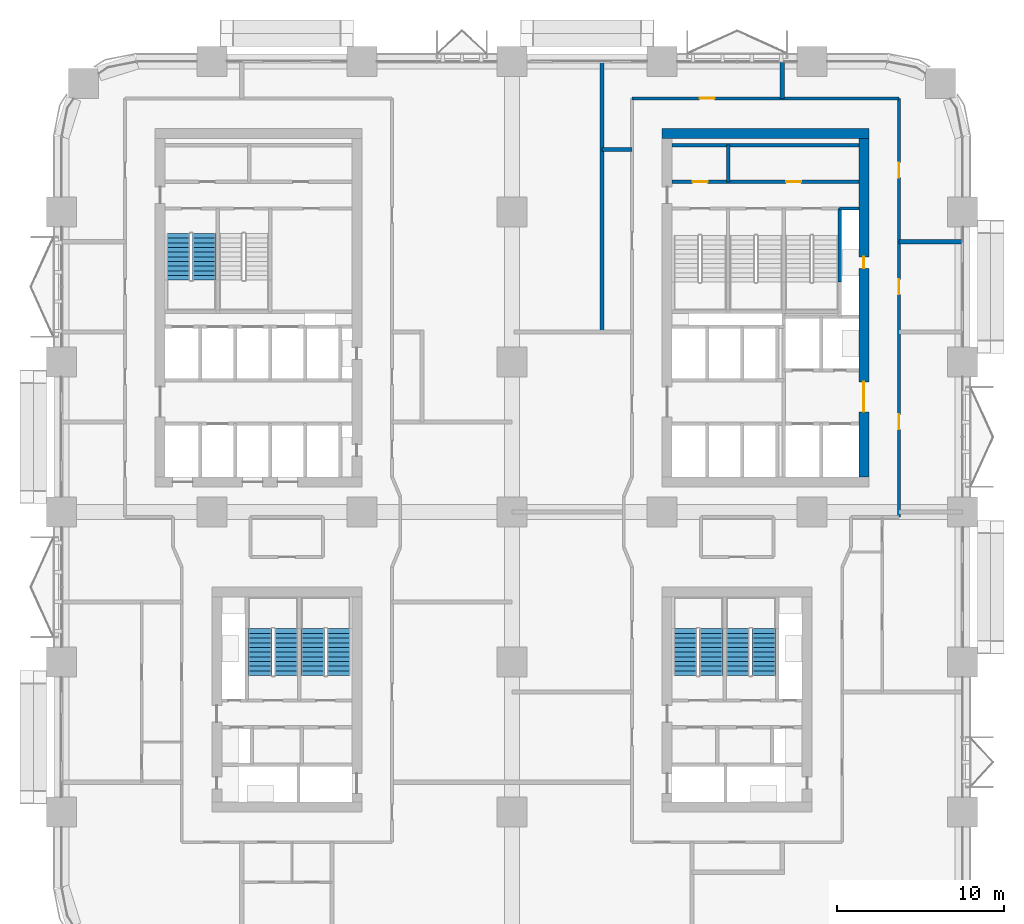
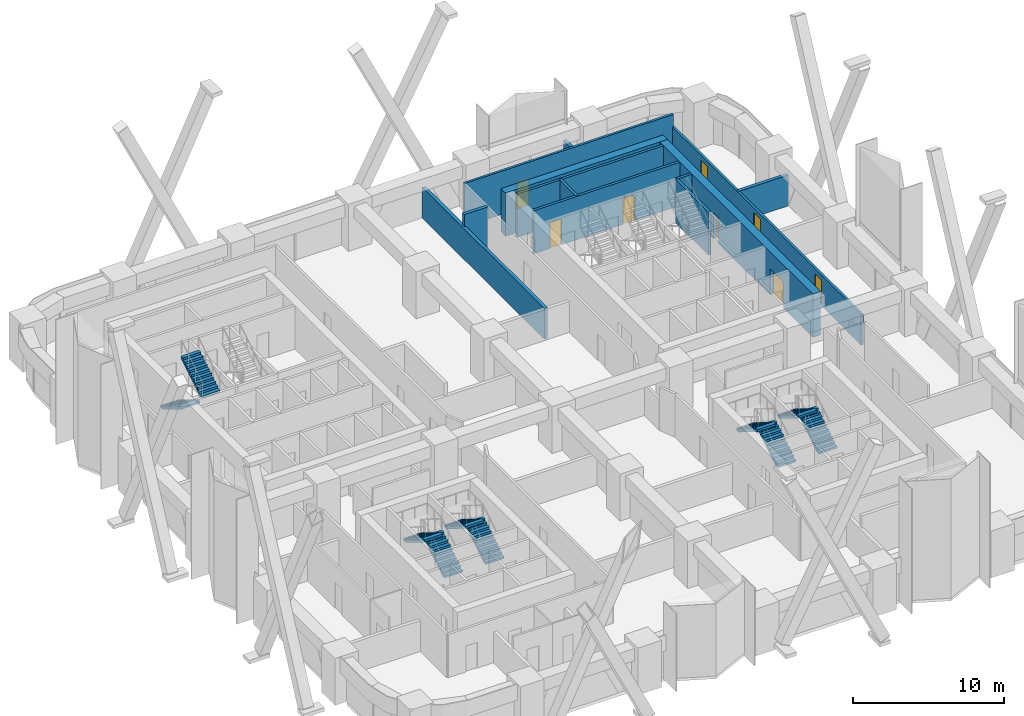
# One storey, part 22 of 26: 13 walls, 10 stair flights, 8 doors, 8 openings, 5 elements without a shape of their own.
"""IFC4 building model written with IfcOpenShell, lengths in metres."""

from ifc_helpers import new_model, si_unit, direction, frame, frame_2d, origin, place, context, subcontext, project, spatial, polyline, rectangle, outline, extrude, material, layer, layer_set, type_object, element, fill, aggregate, save


model = new_model("IFC4")

# Units and contexts
model_context = context("Model", 3, precision=1e-05, world=origin(), true_north=direction((0.0, 1.0)))
body_context = subcontext(model_context, "Body", "Model", "MODEL_VIEW")
ifc_project = project(units=[si_unit("LENGTHUNIT", "METRE"), si_unit("AREAUNIT", "SQUARE_METRE"), si_unit("VOLUMEUNIT", "CUBIC_METRE"), si_unit("PLANEANGLEUNIT", "RADIAN"), si_unit("MASSUNIT", "GRAM", prefix="KILO")], contexts=[model_context])

# Site, building, storey
site_placement = place(None, origin())
site = spatial("IfcSite", under=ifc_project, at=site_placement, CompositionType="ELEMENT")
building_placement = place(site_placement, origin())
building = spatial("IfcBuilding", under=site, at=building_placement, Name="Tessera Arch", CompositionType="ELEMENT")
storey_placement = place(building_placement, frame((0.0, 0.0, 31.0)))
storey = spatial("IfcBuildingStorey", under=building, at=storey_placement, Name="L05", CompositionType="ELEMENT", Elevation=31.0)

# Wall
ifc_material_1 = material(Name="Gypsum board on steel stud", Category="steel")
ifc_layer_1 = layer(ifc_material_1, 0.125)
ifc_layer_set_1 = layer_set([ifc_layer_1], Name="Core partition 125 EI 60")
wall_type_1 = type_object("IfcWallType", Name="Core partition 125 EI 60", PredefinedType="PARTITIONING", material=ifc_layer_set_1)
wall_1_placement = place(storey_placement, frame((39.9599609375, 46.800048828125, 0.0), z_axis=(0.0, 0.0, 1.0), x_axis=(0.0, 1.0, 0.0)))
element("IfcWall", 1, at=wall_1_placement, inside=storey, type_object=wall_type_1, Name="L05 C1 partition wall 5", PredefinedType="PARTITIONING", context=body_context, shape_type="SweptSolid", body=[
    extrude(rectangle(XDim=2.199951171875, YDim=0.199951171875, at=frame_2d((1.10009765625, 0.0))), origin(), (0.0, 0.0, 1.0), 3.5),
])

# Wall, openings, doors
wall_2_placement = place(storey_placement, frame((36.60009765625, 46.800048828125, 0.0), z_axis=(0.0, 0.0, 1.0), x_axis=(1.0, 0.0, 0.0)))
wall_2 = element("IfcWall", 2, at=wall_2_placement, inside=storey, type_object=wall_type_1, Name="L05 C1 partition wall 31", PredefinedType="PARTITIONING", context=body_context, shape_type="SweptSolid", body=[
    extrude(rectangle(XDim=11.199951171875, YDim=0.199951171875, at=frame_2d((5.60009765625, 0.0))), origin(), (0.0, 0.0, 1.0), 3.5),
])
opening_1_placement = place(wall_2_placement, frame((1.22998046875, 0.0, 0.0)))
opening_1 = element("IfcOpeningElement", 3, at=opening_1_placement, cuts=wall_2, Name="Opening L05-C12", PredefinedType="OPENING", context=body_context, shape_type="SweptSolid", body=[
    extrude(rectangle(XDim=0.89990234375, YDim=2.10009765625, at=frame_2d((0.449951171875, 1.050048828125))), frame((0.0, 0.10986328125, 0.0), z_axis=(0.0, -1.0, 0.0), x_axis=(1.0, 0.0, 0.0)), (0.0, 0.0, 1.0), 0.219970703125),
])
opening_2_placement = place(wall_2_placement, frame((6.830078125, 0.0, 0.0)))
opening_2 = element("IfcOpeningElement", 4, at=opening_2_placement, cuts=wall_2, Name="Opening L05-C13", PredefinedType="OPENING", context=body_context, shape_type="SweptSolid", body=[
    extrude(rectangle(XDim=0.89990234375, YDim=2.10009765625, at=frame_2d((0.449951171875, 1.050048828125))), frame((0.0, 0.10986328125, 0.0), z_axis=(0.0, -1.0, 0.0), x_axis=(1.0, 0.0, 0.0)), (0.0, 0.0, 1.0), 0.219970703125),
])
ifc_material_2 = material(Name="Steel door leaf", Category="steel")
door_type_1 = type_object("IfcDoorType", Name="Store door FD30S 900 x 2100", OperationType="SINGLE_SWING_LEFT", PredefinedType="DOOR", material=ifc_material_2)
door_1_placement = place(opening_1_placement, origin())
door_1 = element("IfcDoor", 5, at=door_1_placement, inside=storey, type_object=door_type_1, Name="L05 C1 door 12 C12 type D09", OperationType="SINGLE_SWING_LEFT", OverallHeight=2.10009765625, OverallWidth=0.89990234375, PredefinedType="DOOR", context=body_context, shape_type="SweptSolid", body=[
    extrude(rectangle(XDim=0.89990234375, YDim=2.10009765625, at=frame_2d((0.449951171875, 1.050048828125))), frame((0.0, 0.02490234375, 0.0), z_axis=(0.0, -1.0, 0.0), x_axis=(1.0, 0.0, 0.0)), (0.0, 0.0, 1.0), 0.050048828125),
])
fill(opening_1, door_1)
door_2_placement = place(opening_2_placement, origin())
door_2 = element("IfcDoor", 6, at=door_2_placement, inside=storey, type_object=door_type_1, Name="L05 C1 door 13 C13 type D09", OperationType="SINGLE_SWING_RIGHT", OverallHeight=2.10009765625, OverallWidth=0.89990234375, PredefinedType="DOOR", context=body_context, shape_type="SweptSolid", body=[
    extrude(rectangle(XDim=0.89990234375, YDim=2.10009765625, at=frame_2d((0.449951171875, 1.050048828125))), frame((0.0, 0.02490234375, 0.0), z_axis=(0.0, -1.0, 0.0), x_axis=(1.0, 0.0, 0.0)), (0.0, 0.0, 1.0), 0.050048828125),
])
fill(opening_2, door_2)

# Walls
wall_3_placement = place(storey_placement, frame((36.60009765625, 49.0, 0.0), z_axis=(0.0, 0.0, 1.0), x_axis=(1.0, 0.0, 0.0)))
element("IfcWall", 7, at=wall_3_placement, inside=storey, type_object=wall_type_1, Name="L05 C1 partition wall 32", PredefinedType="PARTITIONING", context=body_context, shape_type="SweptSolid", body=[
    extrude(rectangle(XDim=11.199951171875, YDim=0.199951171875, at=frame_2d((5.60009765625, 0.0))), origin(), (0.0, 0.0, 1.0), 3.5),
])
ifc_material_3 = material(Name="Concrete C70/85", Category="concrete")
ifc_layer_2 = layer(ifc_material_3, 0.60009765625)
ifc_layer_set_2 = layer_set([ifc_layer_2], Name="Core shell wall 600 C70-85")
wall_type_2 = type_object("IfcWallType", Name="Core shell wall 600 C70-85", PredefinedType="SHEAR", material=ifc_layer_set_2)
wall_4_placement = place(storey_placement, frame((36.0, 49.699951171875, 0.0), z_axis=(0.0, 0.0, 1.0), x_axis=(1.0, 0.0, 0.0)))
element("IfcWall", 8, at=wall_4_placement, inside=storey, type_object=wall_type_2, Name="L05 C1 core wall N", PredefinedType="SHEAR", context=body_context, shape_type="SweptSolid", body=[
    extrude(rectangle(XDim=12.39990234375, YDim=0.60009765625, at=frame_2d((6.199951171875, 0.0))), origin(), (0.0, 0.0, 1.0), 3.5),
])

# Wall, openings, doors
wall_5_placement = place(storey_placement, frame((48.10009765625, 29.10009765625, 0.0), z_axis=(0.0, 0.0, 1.0), x_axis=(0.0, 1.0, 0.0)))
wall_5 = element("IfcWall", 9, at=wall_5_placement, inside=storey, type_object=wall_type_2, Name="L05 C1 core wall E", PredefinedType="SHEAR", context=body_context, shape_type="SweptSolid", body=[
    extrude(rectangle(XDim=20.2998046875, YDim=0.60009765625, at=frame_2d((10.14990234375, 0.0))), origin(), (0.0, 0.0, 1.0), 3.5),
])
opening_3_placement = place(wall_5_placement, frame((12.5, 0.0, 0.0)))
opening_3 = element("IfcOpeningElement", 10, at=opening_3_placement, cuts=wall_5, Name="Opening L05-C08", PredefinedType="OPENING", context=body_context, shape_type="SweptSolid", body=[
    extrude(rectangle(XDim=0.699951171875, YDim=2.10009765625, at=frame_2d((0.35009765625, 1.050048828125))), frame((0.0, 0.31005859375, 0.0), z_axis=(0.0, -1.0, 0.0), x_axis=(1.0, 0.0, 0.0)), (0.0, 0.0, 1.0), 0.6201171875),
])
opening_4_placement = place(wall_5_placement, frame((3.89990234375, 0.0, 0.0)))
opening_4 = element("IfcOpeningElement", 11, at=opening_4_placement, cuts=wall_5, Name="Opening L05-C09", PredefinedType="OPENING", context=body_context, shape_type="SweptSolid", body=[
    extrude(rectangle(XDim=1.800048828125, YDim=2.10009765625, at=frame_2d((0.89990234375, 1.050048828125))), frame((0.0, 0.31005859375, 0.0), z_axis=(0.0, -1.0, 0.0), x_axis=(1.0, 0.0, 0.0)), (0.0, 0.0, 1.0), 0.6201171875),
])
ifc_material_4 = material(Name="Glazed steel door leaf", Category="steel")
door_type_2 = type_object("IfcDoorType", Name="Lobby double door FD60 1800 x 2100", OperationType="DOUBLE_DOOR_SINGLE_SWING", PredefinedType="DOOR", material=ifc_material_4)
door_3_placement = place(opening_4_placement, origin())
door_3 = element("IfcDoor", 12, at=door_3_placement, inside=storey, type_object=door_type_2, Name="L05 C1 door 9 C09 type D19", OperationType="DOUBLE_DOOR_SINGLE_SWING", OverallHeight=2.10009765625, OverallWidth=1.800048828125, PredefinedType="DOOR", context=body_context, shape_type="SweptSolid", body=[
    extrude(rectangle(XDim=1.800048828125, YDim=2.10009765625, at=frame_2d((0.89990234375, 1.050048828125))), frame((0.0, 0.02490234375, 0.0), z_axis=(0.0, -1.0, 0.0), x_axis=(1.0, 0.0, 0.0)), (0.0, 0.0, 1.0), 0.050048828125),
])
fill(opening_4, door_3)
ifc_material_5 = material(Name="Steel door leaf", Category="steel")
door_type_3 = type_object("IfcDoorType", Name="Service shaft door FD60 700 x 2100", OperationType="SINGLE_SWING_LEFT", PredefinedType="DOOR", material=ifc_material_5)
door_4_placement = place(opening_3_placement, origin())
door_4 = element("IfcDoor", 13, at=door_4_placement, inside=storey, type_object=door_type_3, Name="L05 C1 door 8 C08 type D07", OperationType="SINGLE_SWING_RIGHT", OverallHeight=2.10009765625, OverallWidth=0.699951171875, PredefinedType="DOOR", context=body_context, shape_type="SweptSolid", body=[
    extrude(rectangle(XDim=0.699951171875, YDim=2.10009765625, at=frame_2d((0.35009765625, 1.050048828125))), frame((0.0, 0.02490234375, 0.0), z_axis=(0.0, -1.0, 0.0), x_axis=(1.0, 0.0, 0.0)), (0.0, 0.0, 1.0), 0.050048828125),
])
fill(opening_3, door_4)

# Wall, opening, door
ifc_material_6 = material(Name="Gypsum board on deep steel stud with mineral wool", Category="steel")
ifc_layer_3 = layer(ifc_material_6, 0.175048828125)
ifc_layer_set_3 = layer_set([ifc_layer_3], Name="Corridor wall 175 EI 60")
wall_type_3 = type_object("IfcWallType", Name="Corridor wall 175 EI 60", PredefinedType="PARTITIONING", material=ifc_layer_set_3)
wall_6_placement = place(storey_placement, frame((34.199951171875, 51.800048828125, 0.0), z_axis=(0.0, 0.0, 1.0), x_axis=(1.0, 0.0, 0.0)))
wall_6 = element("IfcWall", 14, at=wall_6_placement, inside=storey, type_object=wall_type_3, Name="L05 partition 10", PredefinedType="PARTITIONING", context=body_context, shape_type="SweptSolid", body=[
    extrude(rectangle(XDim=16.0, YDim=0.175048828125, at=frame_2d((8.0, 0.0))), origin(), (0.0, 0.0, 1.0), 3.5),
])
opening_5_placement = place(wall_6_placement, frame((4.050048828125, 0.0, 0.0)))
opening_5 = element("IfcOpeningElement", 15, at=opening_5_placement, cuts=wall_6, Name="Opening L05-D032", PredefinedType="OPENING", context=body_context, shape_type="SweptSolid", body=[
    extrude(rectangle(XDim=0.89990234375, YDim=2.10009765625, at=frame_2d((0.449951171875, 1.050048828125))), frame((0.0, 0.097412109375, 0.0), z_axis=(0.0, -1.0, 0.0), x_axis=(1.0, 0.0, 0.0)), (0.0, 0.0, 1.0), 0.195068359375),
])
ifc_material_7 = material(Name="Timber door leaf", Category="wood")
door_type_4 = type_object("IfcDoorType", Name="Room door 900 x 2100", OperationType="SINGLE_SWING_LEFT", PredefinedType="DOOR", material=ifc_material_7)
door_5_placement = place(opening_5_placement, origin())
door_5 = element("IfcDoor", 16, at=door_5_placement, inside=storey, type_object=door_type_4, Name="L05 door D032 type D01", OperationType="SINGLE_SWING_RIGHT", OverallHeight=2.10009765625, OverallWidth=0.89990234375, PredefinedType="DOOR", context=body_context, shape_type="SweptSolid", body=[
    extrude(rectangle(XDim=0.89990234375, YDim=2.10009765625, at=frame_2d((0.449951171875, 1.050048828125))), frame((0.0, 0.02490234375, 0.0), z_axis=(0.0, -1.0, 0.0), x_axis=(1.0, 0.0, 0.0)), (0.0, 0.0, 1.0), 0.050048828125),
])
fill(opening_5, door_5)

# Wall, openings, doors
wall_7_placement = place(storey_placement, frame((50.199951171875, 26.699951171875, 0.0), z_axis=(0.0, 0.0, 1.0), x_axis=(0.0, 1.0, 0.0)))
wall_7 = element("IfcWall", 17, at=wall_7_placement, inside=storey, type_object=wall_type_3, Name="L05 partition 26", PredefinedType="PARTITIONING", context=body_context, shape_type="SweptSolid", body=[
    extrude(rectangle(XDim=25.10009765625, YDim=0.175048828125, at=frame_2d((12.550048828125, 0.0))), origin(), (0.0, 0.0, 1.0), 2.5),
])
opening_6_placement = place(wall_7_placement, frame((5.25, 0.0, 0.0)))
opening_6 = element("IfcOpeningElement", 18, at=opening_6_placement, cuts=wall_7, Name="Opening L05-D023", PredefinedType="OPENING", context=body_context, shape_type="SweptSolid", body=[
    extrude(rectangle(XDim=0.89990234375, YDim=2.10009765625, at=frame_2d((0.449951171875, 1.050048828125))), frame((0.0, 0.097412109375, 0.0), z_axis=(0.0, -1.0, 0.0), x_axis=(1.0, 0.0, 0.0)), (0.0, 0.0, 1.0), 0.195068359375),
])
opening_7_placement = place(wall_7_placement, frame((13.35009765625, 0.0, 0.0)))
opening_7 = element("IfcOpeningElement", 19, at=opening_7_placement, cuts=wall_7, Name="Opening L05-D027", PredefinedType="OPENING", context=body_context, shape_type="SweptSolid", body=[
    extrude(rectangle(XDim=0.89990234375, YDim=2.10009765625, at=frame_2d((0.449951171875, 1.050048828125))), frame((0.0, 0.097412109375, 0.0), z_axis=(0.0, -1.0, 0.0), x_axis=(1.0, 0.0, 0.0)), (0.0, 0.0, 1.0), 0.195068359375),
])
opening_8_placement = place(wall_7_placement, frame((20.35009765625, 0.0, 0.0)))
opening_8 = element("IfcOpeningElement", 20, at=opening_8_placement, cuts=wall_7, Name="Opening L05-D031", PredefinedType="OPENING", context=body_context, shape_type="SweptSolid", body=[
    extrude(rectangle(XDim=0.89990234375, YDim=2.10009765625, at=frame_2d((0.449951171875, 1.050048828125))), frame((0.0, 0.097412109375, 0.0), z_axis=(0.0, -1.0, 0.0), x_axis=(1.0, 0.0, 0.0)), (0.0, 0.0, 1.0), 0.195068359375),
])
door_6_placement = place(opening_6_placement, origin())
door_6 = element("IfcDoor", 21, at=door_6_placement, inside=storey, type_object=door_type_4, Name="L05 door D023 type D01", OperationType="SINGLE_SWING_RIGHT", OverallHeight=2.10009765625, OverallWidth=0.89990234375, PredefinedType="DOOR", context=body_context, shape_type="SweptSolid", body=[
    extrude(rectangle(XDim=0.89990234375, YDim=2.10009765625, at=frame_2d((0.449951171875, 1.050048828125))), frame((0.0, 0.02490234375, 0.0), z_axis=(0.0, -1.0, 0.0), x_axis=(1.0, 0.0, 0.0)), (0.0, 0.0, 1.0), 0.050048828125),
])
fill(opening_6, door_6)
door_7_placement = place(opening_7_placement, origin())
door_7 = element("IfcDoor", 22, at=door_7_placement, inside=storey, type_object=door_type_4, Name="L05 door D027 type D01", OperationType="SINGLE_SWING_RIGHT", OverallHeight=2.10009765625, OverallWidth=0.89990234375, PredefinedType="DOOR", context=body_context, shape_type="SweptSolid", body=[
    extrude(rectangle(XDim=0.89990234375, YDim=2.10009765625, at=frame_2d((0.449951171875, 1.050048828125))), frame((0.0, 0.02490234375, 0.0), z_axis=(0.0, -1.0, 0.0), x_axis=(1.0, 0.0, 0.0)), (0.0, 0.0, 1.0), 0.050048828125),
])
fill(opening_7, door_7)
door_8_placement = place(opening_8_placement, origin())
door_8 = element("IfcDoor", 23, at=door_8_placement, inside=storey, type_object=door_type_4, Name="L05 door D031 type D01", OperationType="SINGLE_SWING_RIGHT", OverallHeight=2.10009765625, OverallWidth=0.89990234375, PredefinedType="DOOR", context=body_context, shape_type="SweptSolid", body=[
    extrude(rectangle(XDim=0.89990234375, YDim=2.10009765625, at=frame_2d((0.449951171875, 1.050048828125))), frame((0.0, 0.02490234375, 0.0), z_axis=(0.0, -1.0, 0.0), x_axis=(1.0, 0.0, 0.0)), (0.0, 0.0, 1.0), 0.050048828125),
])
fill(opening_8, door_8)

# Walls
ifc_material_8 = material(Name="Double gypsum board on twin steel stud with acoustic mineral wool", Category="steel")
ifc_layer_4 = layer(ifc_material_8, 0.25)
ifc_layer_set_4 = layer_set([ifc_layer_4], Name="Party wall 250 EI 60")
wall_type_4 = type_object("IfcWallType", Name="Party wall 250 EI 60", PredefinedType="PARTITIONING", material=ifc_layer_set_4)
wall_8_placement = place(storey_placement, frame((50.199951171875, 43.199951171875, 0.0), z_axis=(0.0, 0.0, 1.0), x_axis=(1.0, 0.0, 0.0)))
element("IfcWall", 24, at=wall_8_placement, inside=storey, type_object=wall_type_4, Name="L05 partition 46", PredefinedType="PARTITIONING", context=body_context, shape_type="SweptSolid", body=[
    extrude(rectangle(XDim=3.800048828125, YDim=0.25, at=frame_2d((1.89990234375, 0.0))), origin(), (0.0, 0.0, 1.0), 2.5),
])
wall_9_placement = place(storey_placement, frame((32.39990234375, 48.73095703125, 0.0), z_axis=(0.0, 0.0, 1.0), x_axis=(1.0, 0.0, 0.0)))
element("IfcWall", 25, at=wall_9_placement, inside=storey, type_object=wall_type_4, Name="L05 partition 47", PredefinedType="PARTITIONING", context=body_context, shape_type="SweptSolid", body=[
    extrude(rectangle(XDim=1.800048828125, YDim=0.25, at=frame_2d((0.89990234375, 0.0))), origin(), (0.0, 0.0, 1.0), 3.5),
])
wall_10_placement = place(storey_placement, frame((32.39990234375, 37.800048828125, 0.0), z_axis=(0.0, 0.0, 1.0), x_axis=(0.0, 1.0, 0.0)))
element("IfcWall", 26, at=wall_10_placement, inside=storey, type_object=wall_type_4, Name="L05 partition 53", PredefinedType="PARTITIONING", context=body_context, shape_type="SweptSolid", body=[
    extrude(rectangle(XDim=16.199951171875, YDim=0.25, at=frame_2d((8.10009765625, 0.0))), origin(), (0.0, 0.0, 1.0), 2.5),
])
wall_11_placement = place(storey_placement, frame((43.199951171875, 51.800048828125, 0.0), z_axis=(0.0, 0.0, 1.0), x_axis=(0.0, 1.0, 0.0)))
element("IfcWall", 27, at=wall_11_placement, inside=storey, type_object=wall_type_4, Name="L05 partition 56", PredefinedType="PARTITIONING", context=body_context, shape_type="SweptSolid", body=[
    extrude(rectangle(XDim=2.199951171875, YDim=0.25, at=frame_2d((1.10009765625, 0.0))), origin(), (0.0, 0.0, 1.0), 2.5),
])
ifc_material_9 = material(Name="Concrete C40/50", Category="concrete")
ifc_layer_5 = layer(ifc_material_9, 0.199951171875)
ifc_layer_set_5 = layer_set([ifc_layer_5], Name="Shaft wall 200 EI 120")
wall_type_5 = type_object("IfcWallType", Name="Shaft wall 200 EI 120", PredefinedType="SOLIDWALL", material=ifc_layer_set_5)
wall_12_placement = place(storey_placement, frame((46.64990234375, 45.199951171875, 0.0), z_axis=(0.0, 0.0, 1.0), x_axis=(1.0, 0.0, 0.0)))
element("IfcWall", 28, at=wall_12_placement, inside=storey, type_object=wall_type_5, Name="L05 C1 shaft wall 29", PredefinedType="SOLIDWALL", context=body_context, shape_type="SweptSolid", body=[
    extrude(rectangle(XDim=1.150146484375, YDim=0.199951171875, at=frame_2d((0.5751953125, 0.0))), origin(), (0.0, 0.0, 1.0), 3.5),
])
ifc_material_10 = material(Name="Concrete C40/50", Category="concrete")
ifc_layer_6 = layer(ifc_material_10, 0.199951171875)
ifc_layer_set_6 = layer_set([ifc_layer_6], Name="Stair well wall 200 REI 180")
wall_type_6 = type_object("IfcWallType", Name="Stair well wall 200 REI 180", PredefinedType="SOLIDWALL", material=ifc_layer_set_6)
wall_13_placement = place(storey_placement, frame((46.64990234375, 40.780029296875, 0.0), z_axis=(0.0, 0.0, 1.0), x_axis=(0.0, 1.0, 0.0)))
element("IfcWall", 29, at=wall_13_placement, inside=storey, type_object=wall_type_6, Name="L05 C1 shaft wall 17", PredefinedType="SOLIDWALL", context=body_context, shape_type="SweptSolid", body=[
    extrude(rectangle(XDim=4.419921875, YDim=0.199951171875, at=frame_2d((2.2099609375, 0.0))), origin(), (0.0, 0.0, 1.0), 3.5),
])

# Stair, stair flights
ifc_material_11 = material(Name="Concrete C40/50", Category="concrete")
stair_type = type_object("IfcStairType", Name="Dogleg stair 1400", PredefinedType="HALF_TURN_STAIR", material=ifc_material_11)
stair_1_placement = place(storey_placement, origin())
stair_1 = element("IfcStair", 30, at=stair_1_placement, inside=storey, type_object=stair_type, Name="L05 S2a", PredefinedType="HALF_TURN_STAIR")
ifc_material_12 = material(Name="Concrete C40/50", Category="concrete")
stair_flight_type = type_object("IfcStairFlightType", Name="Stair flight 1400", PredefinedType="STRAIGHT", material=ifc_material_12)
stair_flight_1_placement = place(storey_placement, frame((7.0, 43.699951171875, 0.0), z_axis=(0.0, 0.0, 1.0), x_axis=(0.0, -1.0, 0.0)))
stair_flight_1 = element("IfcStairFlight", 31, at=stair_flight_1_placement, type_object=stair_flight_type, Name="S2a flight 1", NumberOfRisers=11, NumberOfTreads=10, PredefinedType="STRAIGHT", RiserHeight=0.172727273, TreadLength=0.28, context=body_context, shape_type="SweptSolid", body=[
    extrude(outline(polyline([(0.0, 0.0), (0.0, 0.172607421875), (0.280029296875, 0.172607421875), (0.280029296875, 0.345458984375), (0.56005859375, 0.345458984375), (0.56005859375, 0.51806640625), (0.840087890625, 0.51806640625), (0.840087890625, 0.69091796875), (1.1201171875, 0.69091796875), (1.1201171875, 0.863525390625), (1.39990234375, 0.863525390625), (1.39990234375, 1.036376953125), (1.679931640625, 1.036376953125), (1.679931640625, 1.208984375), (1.9599609375, 1.208984375), (1.9599609375, 1.3818359375), (2.239990234375, 1.3818359375), (2.239990234375, 1.554443359375), (2.52001953125, 1.554443359375), (2.52001953125, 1.727294921875), (2.800048828125, 1.727294921875), (2.800048828125, 1.89990234375), (2.800048828125, 1.551025390625), (0.285400390625, 0.0), (0.0, 0.0)])), frame((0.0, 0.699951171875, 0.0), z_axis=(0.0, -1.0, 0.0), x_axis=(1.0, 0.0, 0.0)), (0.0, 0.0, 1.0), 1.39990234375),
])
stair_flight_2_placement = place(storey_placement, frame((8.550048828125, 40.89990234375, 1.89990234375), z_axis=(0.0, 0.0, 1.0), x_axis=(0.0, 1.0, 0.0)))
stair_flight_2 = element("IfcStairFlight", 32, at=stair_flight_2_placement, type_object=stair_flight_type, Name="S2a flight 2", NumberOfRisers=11, NumberOfTreads=10, PredefinedType="STRAIGHT", RiserHeight=0.172727273, TreadLength=0.28, context=body_context, shape_type="SweptSolid", body=[
    extrude(outline(polyline([(0.0, 0.0), (0.0, 0.172607421875), (0.280029296875, 0.172607421875), (0.280029296875, 0.345458984375), (0.56005859375, 0.345458984375), (0.56005859375, 0.51806640625), (0.840087890625, 0.51806640625), (0.840087890625, 0.69091796875), (1.1201171875, 0.69091796875), (1.1201171875, 0.863525390625), (1.39990234375, 0.863525390625), (1.39990234375, 1.036376953125), (1.679931640625, 1.036376953125), (1.679931640625, 1.208984375), (1.9599609375, 1.208984375), (1.9599609375, 1.3818359375), (2.239990234375, 1.3818359375), (2.239990234375, 1.554443359375), (2.52001953125, 1.554443359375), (2.52001953125, 1.727294921875), (2.800048828125, 1.727294921875), (2.800048828125, 1.89990234375), (2.800048828125, 1.551025390625), (0.285400390625, 0.0), (0.0, 0.0)])), frame((0.0, 0.699951171875, 0.0), z_axis=(0.0, -1.0, 0.0), x_axis=(1.0, 0.0, 0.0)), (0.0, 0.0, 1.0), 1.39990234375),
])
aggregate(stair_1, [stair_flight_1, stair_flight_2])

stair_2_placement = place(storey_placement, origin())
stair_2 = element("IfcStair", 33, at=stair_2_placement, inside=storey, type_object=stair_type, Name="L05 S3a", PredefinedType="HALF_TURN_STAIR")
stair_flight_3_placement = place(storey_placement, frame((38.949951171875, 17.199951171875, 0.0), z_axis=(0.0, 0.0, 1.0), x_axis=(0.0, 1.0, 0.0)))
stair_flight_3 = element("IfcStairFlight", 34, at=stair_flight_3_placement, type_object=stair_flight_type, Name="S3a flight 1", NumberOfRisers=11, NumberOfTreads=10, PredefinedType="STRAIGHT", RiserHeight=0.172727273, TreadLength=0.28, context=body_context, shape_type="SweptSolid", body=[
    extrude(outline(polyline([(0.0, 0.0), (0.0, 0.172607421875), (0.280029296875, 0.172607421875), (0.280029296875, 0.345458984375), (0.56005859375, 0.345458984375), (0.56005859375, 0.51806640625), (0.840087890625, 0.51806640625), (0.840087890625, 0.69091796875), (1.1201171875, 0.69091796875), (1.1201171875, 0.863525390625), (1.39990234375, 0.863525390625), (1.39990234375, 1.036376953125), (1.679931640625, 1.036376953125), (1.679931640625, 1.208984375), (1.9599609375, 1.208984375), (1.9599609375, 1.3818359375), (2.239990234375, 1.3818359375), (2.239990234375, 1.554443359375), (2.52001953125, 1.554443359375), (2.52001953125, 1.727294921875), (2.800048828125, 1.727294921875), (2.800048828125, 1.89990234375), (2.800048828125, 1.551025390625), (0.285400390625, 0.0), (0.0, 0.0)])), frame((0.0, 0.699951171875, 0.0), z_axis=(0.0, -1.0, 0.0), x_axis=(1.0, 0.0, 0.0)), (0.0, 0.0, 1.0), 1.39990234375),
])
stair_flight_4_placement = place(storey_placement, frame((37.39990234375, 20.0, 1.89990234375), z_axis=(0.0, 0.0, 1.0), x_axis=(0.0, -1.0, 0.0)))
stair_flight_4 = element("IfcStairFlight", 35, at=stair_flight_4_placement, type_object=stair_flight_type, Name="S3a flight 2", NumberOfRisers=11, NumberOfTreads=10, PredefinedType="STRAIGHT", RiserHeight=0.172727273, TreadLength=0.28, context=body_context, shape_type="SweptSolid", body=[
    extrude(outline(polyline([(0.0, 0.0), (0.0, 0.172607421875), (0.280029296875, 0.172607421875), (0.280029296875, 0.345458984375), (0.56005859375, 0.345458984375), (0.56005859375, 0.51806640625), (0.840087890625, 0.51806640625), (0.840087890625, 0.69091796875), (1.1201171875, 0.69091796875), (1.1201171875, 0.863525390625), (1.39990234375, 0.863525390625), (1.39990234375, 1.036376953125), (1.679931640625, 1.036376953125), (1.679931640625, 1.208984375), (1.9599609375, 1.208984375), (1.9599609375, 1.3818359375), (2.239990234375, 1.3818359375), (2.239990234375, 1.554443359375), (2.52001953125, 1.554443359375), (2.52001953125, 1.727294921875), (2.800048828125, 1.727294921875), (2.800048828125, 1.89990234375), (2.800048828125, 1.551025390625), (0.285400390625, 0.0), (0.0, 0.0)])), frame((0.0, 0.699951171875, 0.0), z_axis=(0.0, -1.0, 0.0), x_axis=(1.0, 0.0, 0.0)), (0.0, 0.0, 1.0), 1.39990234375),
])
aggregate(stair_2, [stair_flight_3, stair_flight_4])

stair_3_placement = place(storey_placement, origin())
stair_3 = element("IfcStair", 36, at=stair_3_placement, inside=storey, type_object=stair_type, Name="L05 S3b", PredefinedType="HALF_TURN_STAIR")
stair_flight_5_placement = place(storey_placement, frame((42.10009765625, 17.199951171875, 0.0), z_axis=(0.0, 0.0, 1.0), x_axis=(0.0, 1.0, 0.0)))
stair_flight_5 = element("IfcStairFlight", 37, at=stair_flight_5_placement, type_object=stair_flight_type, Name="S3b flight 1", NumberOfRisers=11, NumberOfTreads=10, PredefinedType="STRAIGHT", RiserHeight=0.172727273, TreadLength=0.28, context=body_context, shape_type="SweptSolid", body=[
    extrude(outline(polyline([(0.0, 0.0), (0.0, 0.172607421875), (0.280029296875, 0.172607421875), (0.280029296875, 0.345458984375), (0.56005859375, 0.345458984375), (0.56005859375, 0.51806640625), (0.840087890625, 0.51806640625), (0.840087890625, 0.69091796875), (1.1201171875, 0.69091796875), (1.1201171875, 0.863525390625), (1.39990234375, 0.863525390625), (1.39990234375, 1.036376953125), (1.679931640625, 1.036376953125), (1.679931640625, 1.208984375), (1.9599609375, 1.208984375), (1.9599609375, 1.3818359375), (2.239990234375, 1.3818359375), (2.239990234375, 1.554443359375), (2.52001953125, 1.554443359375), (2.52001953125, 1.727294921875), (2.800048828125, 1.727294921875), (2.800048828125, 1.89990234375), (2.800048828125, 1.551025390625), (0.285400390625, 0.0), (0.0, 0.0)])), frame((0.0, 0.699951171875, 0.0), z_axis=(0.0, -1.0, 0.0), x_axis=(1.0, 0.0, 0.0)), (0.0, 0.0, 1.0), 1.39990234375),
])
stair_flight_6_placement = place(storey_placement, frame((40.550048828125, 20.0, 1.89990234375), z_axis=(0.0, 0.0, 1.0), x_axis=(0.0, -1.0, 0.0)))
stair_flight_6 = element("IfcStairFlight", 38, at=stair_flight_6_placement, type_object=stair_flight_type, Name="S3b flight 2", NumberOfRisers=11, NumberOfTreads=10, PredefinedType="STRAIGHT", RiserHeight=0.172727273, TreadLength=0.28, context=body_context, shape_type="SweptSolid", body=[
    extrude(outline(polyline([(0.0, 0.0), (0.0, 0.172607421875), (0.280029296875, 0.172607421875), (0.280029296875, 0.345458984375), (0.56005859375, 0.345458984375), (0.56005859375, 0.51806640625), (0.840087890625, 0.51806640625), (0.840087890625, 0.69091796875), (1.1201171875, 0.69091796875), (1.1201171875, 0.863525390625), (1.39990234375, 0.863525390625), (1.39990234375, 1.036376953125), (1.679931640625, 1.036376953125), (1.679931640625, 1.208984375), (1.9599609375, 1.208984375), (1.9599609375, 1.3818359375), (2.239990234375, 1.3818359375), (2.239990234375, 1.554443359375), (2.52001953125, 1.554443359375), (2.52001953125, 1.727294921875), (2.800048828125, 1.727294921875), (2.800048828125, 1.89990234375), (2.800048828125, 1.551025390625), (0.285400390625, 0.0), (0.0, 0.0)])), frame((0.0, 0.699951171875, 0.0), z_axis=(0.0, -1.0, 0.0), x_axis=(1.0, 0.0, 0.0)), (0.0, 0.0, 1.0), 1.39990234375),
])
aggregate(stair_3, [stair_flight_5, stair_flight_6])

stair_4_placement = place(storey_placement, origin())
stair_4 = element("IfcStair", 39, at=stair_4_placement, inside=storey, type_object=stair_type, Name="L05 S4a", PredefinedType="HALF_TURN_STAIR")
stair_flight_7_placement = place(storey_placement, frame((16.60009765625, 17.199951171875, 0.0), z_axis=(0.0, 0.0, 1.0), x_axis=(0.0, 1.0, 0.0)))
stair_flight_7 = element("IfcStairFlight", 40, at=stair_flight_7_placement, type_object=stair_flight_type, Name="S4a flight 1", NumberOfRisers=11, NumberOfTreads=10, PredefinedType="STRAIGHT", RiserHeight=0.172727273, TreadLength=0.28, context=body_context, shape_type="SweptSolid", body=[
    extrude(outline(polyline([(0.0, 0.0), (0.0, 0.172607421875), (0.280029296875, 0.172607421875), (0.280029296875, 0.345458984375), (0.56005859375, 0.345458984375), (0.56005859375, 0.51806640625), (0.840087890625, 0.51806640625), (0.840087890625, 0.69091796875), (1.1201171875, 0.69091796875), (1.1201171875, 0.863525390625), (1.39990234375, 0.863525390625), (1.39990234375, 1.036376953125), (1.679931640625, 1.036376953125), (1.679931640625, 1.208984375), (1.9599609375, 1.208984375), (1.9599609375, 1.3818359375), (2.239990234375, 1.3818359375), (2.239990234375, 1.554443359375), (2.52001953125, 1.554443359375), (2.52001953125, 1.727294921875), (2.800048828125, 1.727294921875), (2.800048828125, 1.89990234375), (2.800048828125, 1.551025390625), (0.285400390625, 0.0), (0.0, 0.0)])), frame((0.0, 0.699951171875, 0.0), z_axis=(0.0, -1.0, 0.0), x_axis=(1.0, 0.0, 0.0)), (0.0, 0.0, 1.0), 1.39990234375),
])
stair_flight_8_placement = place(storey_placement, frame((15.050048828125, 20.0, 1.89990234375), z_axis=(0.0, 0.0, 1.0), x_axis=(0.0, -1.0, 0.0)))
stair_flight_8 = element("IfcStairFlight", 41, at=stair_flight_8_placement, type_object=stair_flight_type, Name="S4a flight 2", NumberOfRisers=11, NumberOfTreads=10, PredefinedType="STRAIGHT", RiserHeight=0.172727273, TreadLength=0.28, context=body_context, shape_type="SweptSolid", body=[
    extrude(outline(polyline([(0.0, 0.0), (0.0, 0.172607421875), (0.280029296875, 0.172607421875), (0.280029296875, 0.345458984375), (0.56005859375, 0.345458984375), (0.56005859375, 0.51806640625), (0.840087890625, 0.51806640625), (0.840087890625, 0.69091796875), (1.1201171875, 0.69091796875), (1.1201171875, 0.863525390625), (1.39990234375, 0.863525390625), (1.39990234375, 1.036376953125), (1.679931640625, 1.036376953125), (1.679931640625, 1.208984375), (1.9599609375, 1.208984375), (1.9599609375, 1.3818359375), (2.239990234375, 1.3818359375), (2.239990234375, 1.554443359375), (2.52001953125, 1.554443359375), (2.52001953125, 1.727294921875), (2.800048828125, 1.727294921875), (2.800048828125, 1.89990234375), (2.800048828125, 1.551025390625), (0.285400390625, 0.0), (0.0, 0.0)])), frame((0.0, 0.699951171875, 0.0), z_axis=(0.0, -1.0, 0.0), x_axis=(1.0, 0.0, 0.0)), (0.0, 0.0, 1.0), 1.39990234375),
])
aggregate(stair_4, [stair_flight_7, stair_flight_8])

stair_5_placement = place(storey_placement, origin())
stair_5 = element("IfcStair", 42, at=stair_5_placement, inside=storey, type_object=stair_type, Name="L05 S4b", PredefinedType="HALF_TURN_STAIR")
stair_flight_9_placement = place(storey_placement, frame((13.449951171875, 17.199951171875, 0.0), z_axis=(0.0, 0.0, 1.0), x_axis=(0.0, 1.0, 0.0)))
stair_flight_9 = element("IfcStairFlight", 43, at=stair_flight_9_placement, type_object=stair_flight_type, Name="S4b flight 1", NumberOfRisers=11, NumberOfTreads=10, PredefinedType="STRAIGHT", RiserHeight=0.172727273, TreadLength=0.28, context=body_context, shape_type="SweptSolid", body=[
    extrude(outline(polyline([(0.0, 0.0), (0.0, 0.172607421875), (0.280029296875, 0.172607421875), (0.280029296875, 0.345458984375), (0.56005859375, 0.345458984375), (0.56005859375, 0.51806640625), (0.840087890625, 0.51806640625), (0.840087890625, 0.69091796875), (1.1201171875, 0.69091796875), (1.1201171875, 0.863525390625), (1.39990234375, 0.863525390625), (1.39990234375, 1.036376953125), (1.679931640625, 1.036376953125), (1.679931640625, 1.208984375), (1.9599609375, 1.208984375), (1.9599609375, 1.3818359375), (2.239990234375, 1.3818359375), (2.239990234375, 1.554443359375), (2.52001953125, 1.554443359375), (2.52001953125, 1.727294921875), (2.800048828125, 1.727294921875), (2.800048828125, 1.89990234375), (2.800048828125, 1.551025390625), (0.285400390625, 0.0), (0.0, 0.0)])), frame((0.0, 0.699951171875, 0.0), z_axis=(0.0, -1.0, 0.0), x_axis=(1.0, 0.0, 0.0)), (0.0, 0.0, 1.0), 1.39990234375),
])
stair_flight_10_placement = place(storey_placement, frame((11.89990234375, 20.0, 1.89990234375), z_axis=(0.0, 0.0, 1.0), x_axis=(0.0, -1.0, 0.0)))
stair_flight_10 = element("IfcStairFlight", 44, at=stair_flight_10_placement, type_object=stair_flight_type, Name="S4b flight 2", NumberOfRisers=11, NumberOfTreads=10, PredefinedType="STRAIGHT", RiserHeight=0.172727273, TreadLength=0.28, context=body_context, shape_type="SweptSolid", body=[
    extrude(outline(polyline([(0.0, 0.0), (0.0, 0.172607421875), (0.280029296875, 0.172607421875), (0.280029296875, 0.345458984375), (0.56005859375, 0.345458984375), (0.56005859375, 0.51806640625), (0.840087890625, 0.51806640625), (0.840087890625, 0.69091796875), (1.1201171875, 0.69091796875), (1.1201171875, 0.863525390625), (1.39990234375, 0.863525390625), (1.39990234375, 1.036376953125), (1.679931640625, 1.036376953125), (1.679931640625, 1.208984375), (1.9599609375, 1.208984375), (1.9599609375, 1.3818359375), (2.239990234375, 1.3818359375), (2.239990234375, 1.554443359375), (2.52001953125, 1.554443359375), (2.52001953125, 1.727294921875), (2.800048828125, 1.727294921875), (2.800048828125, 1.89990234375), (2.800048828125, 1.551025390625), (0.285400390625, 0.0), (0.0, 0.0)])), frame((0.0, 0.699951171875, 0.0), z_axis=(0.0, -1.0, 0.0), x_axis=(1.0, 0.0, 0.0)), (0.0, 0.0, 1.0), 1.39990234375),
])
aggregate(stair_5, [stair_flight_9, stair_flight_10])

save(model, "model.ifc")
